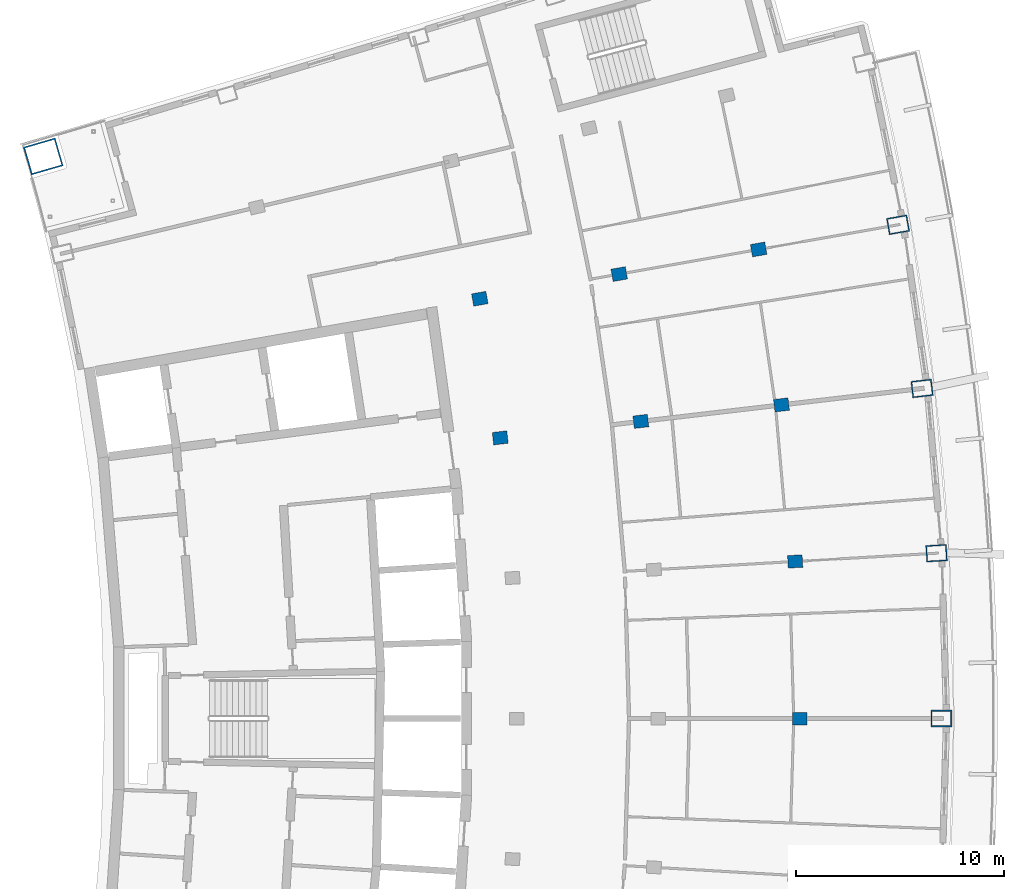
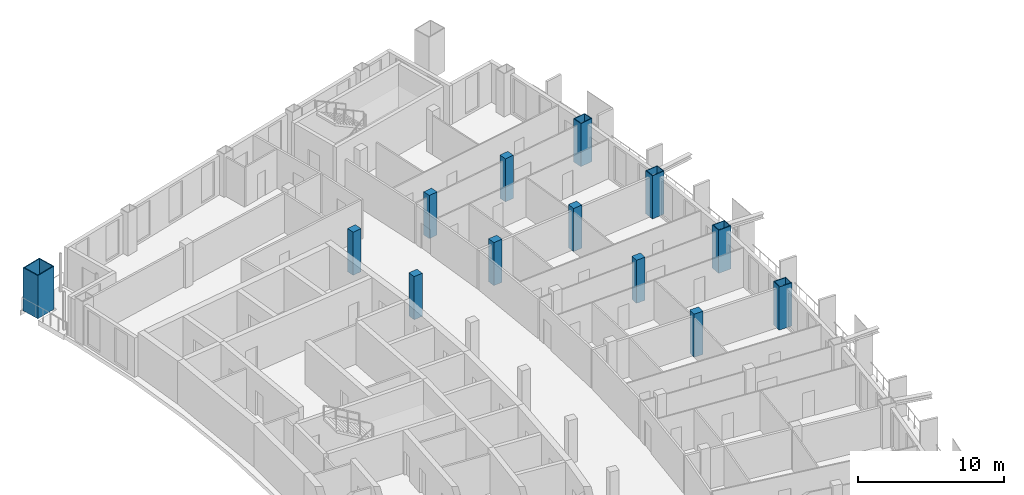
# One storey, part 4 of 17: 13 columns.
"""IFC4 building model written with IfcOpenShell, lengths in metres."""

from ifc_helpers import new_model, si_unit, direction, frame, origin, origin_2d, place, context, subcontext, project, spatial, rectangle, hollow_rectangle, extrude, material, material_profile, profile_set, type_object, element, save


model = new_model("IFC4")

# Units and contexts
model_context = context("Model", 3, precision=1e-05, world=origin(), true_north=direction((0.0, 1.0)))
body_context = subcontext(model_context, "Body", "Model", "MODEL_VIEW")
ifc_project = project(units=[si_unit("LENGTHUNIT", "METRE"), si_unit("AREAUNIT", "SQUARE_METRE"), si_unit("VOLUMEUNIT", "CUBIC_METRE"), si_unit("PLANEANGLEUNIT", "RADIAN"), si_unit("MASSUNIT", "GRAM", prefix="KILO")], contexts=[model_context])

# Site, building, storey
site_placement = place(None, origin())
site = spatial("IfcSite", under=ifc_project, at=site_placement, CompositionType="ELEMENT")
building_placement = place(site_placement, origin())
building = spatial("IfcBuilding", under=site, at=building_placement, Name="Alderwake Tower", CompositionType="ELEMENT")
storey_placement = place(building_placement, frame((0.0, 0.0, 270.800048828125)))
storey = spatial("IfcBuildingStorey", under=building, at=storey_placement, Name="L67", CompositionType="ELEMENT", Elevation=270.800048828125)

# Columns
ifc_material_1 = material(Name="Concrete C70/85", Category="concrete")
ifc_material_profile_1 = material_profile(ifc_material_1, rectangle(XDim=0.60009765625, YDim=0.699951171875, at=origin_2d()), Name="RC 700X600")
ifc_profile_set_1 = profile_set([ifc_material_profile_1], Name="Concrete C70/85")
column_type_1 = type_object("IfcColumnType", Name="Interior column Z5", PredefinedType="COLUMN", material=ifc_profile_set_1)
for number, where, z_axis, x_axis, name in (
    (1, (49.39990234375, 61.0, 0.0), (0.0, 0.0, 1.0), (0.0, 1.0, 0.0), "Column R07-C4"),
    (2, (49.179931640625, 68.544189453125, 0.0), (0.0, 0.0, 1.0), (-0.058301061284, 0.998299046505, 0.0), "Column R08-C4"),
    (3, (35.0126953125, 74.4794921875, 0.0), (0.0, 0.0, 1.0), (-0.116402054316, 0.993202175668, 0.0), "Column R09-C2"),
    (4, (41.7666015625, 75.27099609375, 0.0), (0.0, 0.0, 1.0), (-0.116402054316, 0.993202175668, 0.0), "Column R09-C3"),
    (5, (48.5205078125, 76.0625, 0.0), (0.0, 0.0, 1.0), (-0.116402054316, 0.993202175668, 0.0), "Column R09-C4"),
    (6, (34.03125, 81.16162109375, 0.0), (0.0, 0.0, 1.0), (-0.174108800747, 0.984726421654, 0.0), "Column R10-C2"),
    (7, (40.7275390625, 82.345703125, 0.0), (0.0, 0.0, 1.0), (-0.174108800747, 0.984726421654, 0.0), "Column R10-C3"),
    (8, (47.423583984375, 83.529541015625, 0.0), (0.0, 0.0, 1.0), (-0.174108800747, 0.984726421654, 0.0), "Column R10-C4"),
):
    element("IfcColumn", number, at=place(storey_placement, frame(where, z_axis=z_axis, x_axis=x_axis)), inside=storey, type_object=column_type_1, Name=name, PredefinedType="COLUMN", context=body_context, shape_type="SweptSolid", body=[
        extrude(rectangle(XDim=0.60009765625, YDim=0.699951171875, at=origin_2d()), origin(), (0.0, 0.0, 1.0), 3.599853515625),
    ])
ifc_material_2 = material(Name="Steel ASTM A572 Grade 50 concrete filled C70/85", Category="concrete")
ifc_material_profile_2 = material_profile(ifc_material_2, hollow_rectangle(XDim=1.39990234375, YDim=1.60009765625, WallThickness=0.070068359375, at=origin_2d()), Name="BOX 1600X1400X70")
ifc_profile_set_2 = profile_set([ifc_material_profile_2], Name="Steel ASTM A572 Grade 50 concrete filled C70/85")
column_type_2 = type_object("IfcColumnType", Name="Mega column Z5", PredefinedType="COLUMN", material=ifc_profile_set_2)
column_placement = place(storey_placement, frame((13.06298828125, 87.99755859375, 0.0), z_axis=(0.0, 0.0, 1.0), x_axis=(-0.278612301868, 0.960403657452, 0.0)))
element("IfcColumn", 9, at=column_placement, inside=storey, type_object=column_type_2, Name="Column R12-C0", PredefinedType="COLUMN", context=body_context, shape_type="SweptSolid", body=[
    extrude(hollow_rectangle(XDim=1.39990234375, YDim=1.60009765625, WallThickness=0.070068359375, at=origin_2d()), origin(), (0.0, 0.0, 1.0), 3.599853515625),
])
ifc_material_3 = material(Name="Steel ASTM A572 Grade 50 concrete filled C70/85", Category="concrete")
ifc_material_profile_3 = material_profile(ifc_material_3, hollow_rectangle(XDim=0.800048828125, YDim=1.0, WallThickness=0.054931640625, at=origin_2d()), Name="BOX 1000X800X55")
ifc_profile_set_3 = profile_set([ifc_material_profile_3], Name="Steel ASTM A572 Grade 50 concrete filled C70/85")
column_type_3 = type_object("IfcColumnType", Name="Perimeter column Z5", PredefinedType="COLUMN", material=ifc_profile_set_3)
for number, where, z_axis, x_axis, name in (
    (10, (56.199951171875, 61.0, 0.0), (0.0, 0.0, 1.0), (0.0, 1.0, 0.0), "Column R07-C5"),
    (11, (55.96826171875, 68.9404296875, 0.0), (0.0, 0.0, 1.0), (-0.058301061284, 0.998299046505, 0.0), "Column R08-C5"),
    (12, (55.274169921875, 76.85400390625, 0.0), (0.0, 0.0, 1.0), (-0.116402054316, 0.993202175668, 0.0), "Column R09-C5"),
    (13, (54.119873046875, 84.71337890625, 0.0), (0.0, 0.0, 1.0), (-0.174107082075, 0.984726725529, 0.0), "Column R10-C5"),
):
    element("IfcColumn", number, at=place(storey_placement, frame(where, z_axis=z_axis, x_axis=x_axis)), inside=storey, type_object=column_type_3, Name=name, PredefinedType="COLUMN", context=body_context, shape_type="SweptSolid", body=[
        extrude(hollow_rectangle(XDim=0.800048828125, YDim=1.0, WallThickness=0.054931640625, at=origin_2d()), origin(), (0.0, 0.0, 1.0), 3.599853515625),
    ])

save(model, "model.ifc")
